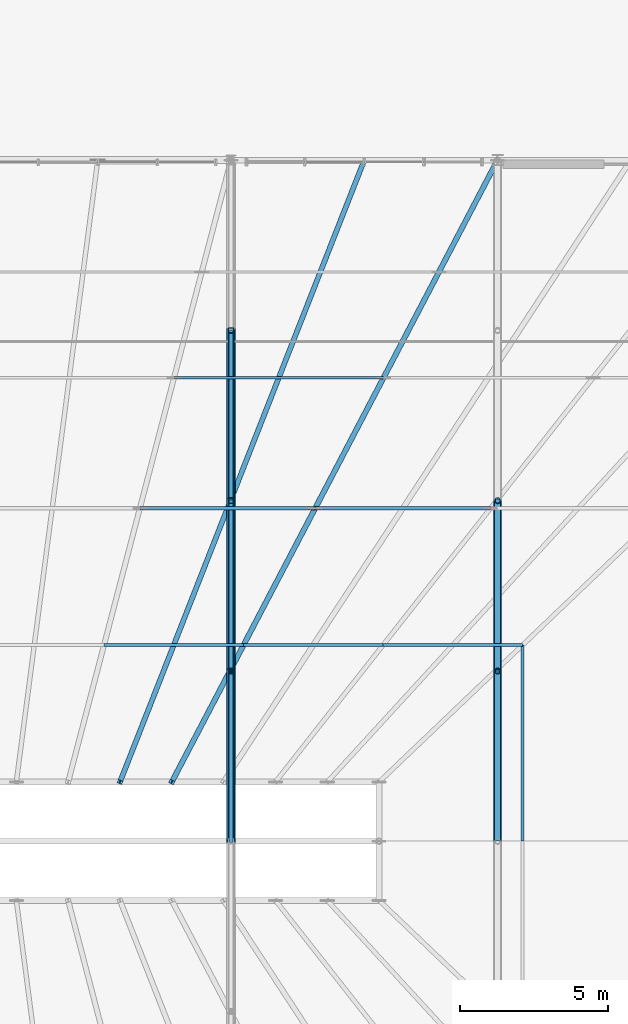
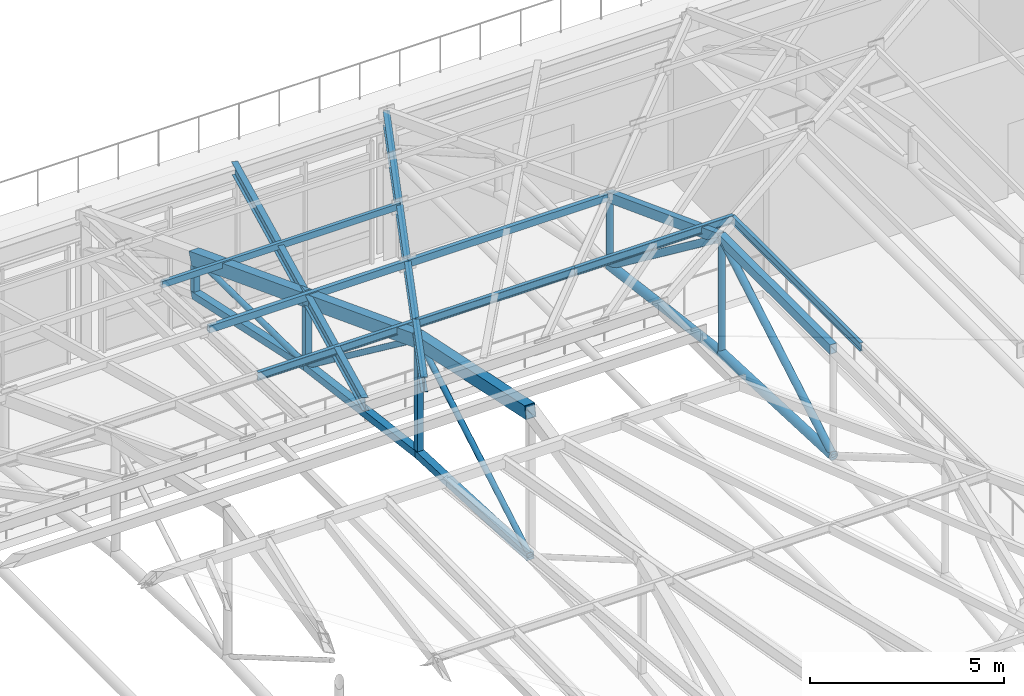
# One storey, part 60 of 168: 24 members, 5 beams.
"""IFC4 building model written with IfcOpenShell, lengths in metres."""

from ifc_helpers import new_model, si_unit, direction, frame, origin, origin_2d, place, context, subcontext, project, spatial, hollow_rectangle, hollow_circle, i_section, extrude, material, material_profile, profile_set, type_object, element, save


model = new_model("IFC4")

# Units and contexts
model_context = context("Model", 3, precision=1e-05, world=origin(), true_north=direction((0.0, 1.0)))
body_context = subcontext(model_context, "Body", "Model", "MODEL_VIEW")
ifc_project = project(units=[si_unit("LENGTHUNIT", "METRE"), si_unit("AREAUNIT", "SQUARE_METRE"), si_unit("VOLUMEUNIT", "CUBIC_METRE"), si_unit("PLANEANGLEUNIT", "RADIAN"), si_unit("MASSUNIT", "GRAM", prefix="KILO"), si_unit("THERMODYNAMICTEMPERATUREUNIT", "KELVIN"), si_unit("POWERUNIT", "WATT")], contexts=[model_context])

# Site, building, storey
site_placement = place(None, origin())
site = spatial("IfcSite", under=ifc_project, at=site_placement, CompositionType="ELEMENT")
building_placement = place(site_placement, origin())
building = spatial("IfcBuilding", under=site, at=building_placement, Name="Tepalcoro Natatorium and Aquatics Centre", CompositionType="ELEMENT")
storey_placement = place(building_placement, frame((0.0, 0.0, 10.199951171875)))
storey = spatial("IfcBuildingStorey", under=building, at=storey_placement, Name="L02", CompositionType="ELEMENT", Elevation=10.199951171875)

# Beams
ifc_material_1 = material(Name="Terracotta Painted Hollow Steel ASTM A500 Grade C (Fy 345 MPa)", Category="masonry")
ifc_material_profile_1 = material_profile(ifc_material_1, hollow_rectangle(XDim=0.199951171875, YDim=0.300048828125, WallThickness=0.013916015625, at=origin_2d()), Name="HSS300X200X14")
ifc_profile_set_1 = profile_set([ifc_material_profile_1], Name="Terracotta Painted Hollow Steel ASTM A500 Grade C (Fy 345 MPa)")
beam_type_1 = type_object("IfcBeamType", Name="AC_HSS300x200x14", PredefinedType="USERDEFINED", material=ifc_profile_set_1)
beam_1_placement = place(storey_placement, frame((107.0, 36.0, 11.011962890625), z_axis=(0.0, 1.0, 0.0), x_axis=(-1.0, 0.0, 0.0)))
element("IfcBeam", 1, at=beam_1_placement, inside=storey, type_object=beam_type_1, Name="V1 Arched Truss Top Chord 7", ObjectType="ARCH CHORD", PredefinedType="USERDEFINED", context=body_context, shape_type="SweptSolid", body=[
    extrude(hollow_rectangle(XDim=0.199951171875, YDim=0.300048828125, WallThickness=0.013916015625, at=origin_2d()), origin(), (0.0, 0.0, 1.0), 5.75),
])
beam_2_placement = place(storey_placement, frame((107.0, 41.75, 11.011962890625), z_axis=(0.0, 0.935595776827, -0.35307299866), x_axis=(-1.0, 0.0, 0.0)))
element("IfcBeam", 2, at=beam_2_placement, inside=storey, type_object=beam_type_1, Name="V1 Arched Truss Top Chord 7", ObjectType="ARCH CHORD", PredefinedType="USERDEFINED", context=body_context, shape_type="SweptSolid", body=[
    extrude(hollow_rectangle(XDim=0.199951171875, YDim=0.300048828125, WallThickness=0.013916015625, at=origin_2d()), origin(), (0.0, 0.0, 1.0), 6.145751953125),
])
ifc_material_profile_2 = material_profile(ifc_material_1, hollow_rectangle(XDim=0.300048828125, YDim=0.39990234375, WallThickness=0.01611328125, at=origin_2d()), Name="HSS400X300X16")
ifc_profile_set_2 = profile_set([ifc_material_profile_2], Name="Terracotta Painted Hollow Steel ASTM A500 Grade C (Fy 345 MPa)")
beam_type_2 = type_object("IfcBeamType", Name="AC_HSS400x300x16", PredefinedType="USERDEFINED", material=ifc_profile_set_2)
beam_3_placement = place(storey_placement, frame((98.0, 36.0, 12.199951171875), z_axis=(0.0, 0.978502151246, -0.206236611701), x_axis=(-1.0, 0.0, 0.0)))
element("IfcBeam", 3, at=beam_3_placement, inside=storey, type_object=beam_type_2, Name="V1 Arched Truss Top Chord 6", ObjectType="ARCH CHORD", PredefinedType="USERDEFINED", context=body_context, shape_type="SweptSolid", body=[
    extrude(hollow_rectangle(XDim=0.300048828125, YDim=0.39990234375, WallThickness=0.01611328125, at=origin_2d()), origin(), (0.0, 0.0, 1.0), 5.876220703125),
])
for number, where, z_axis, x_axis, name in (
    (4, (98.0, 41.75, 10.988037109375), (0.0, 0.934186419385, -0.356785276935), (-1.0, 0.0, 0.0), "V1 Arched Truss Top Chord 6"),
    (5, (98.0, 47.5, 8.7919921875), (0.0, 0.934186419385, -0.356785276935), (-1.0, 0.0, 0.0), "V1 Arched Truss Top Chord 6"),
):
    element("IfcBeam", number, at=place(storey_placement, frame(where, z_axis=z_axis, x_axis=x_axis)), inside=storey, type_object=beam_type_2, Name=name, ObjectType="ARCH CHORD", PredefinedType="USERDEFINED", context=body_context, shape_type="SweptSolid", body=[
        extrude(hollow_rectangle(XDim=0.300048828125, YDim=0.39990234375, WallThickness=0.01611328125, at=origin_2d()), origin(), (0.0, 0.0, 1.0), 6.155029296875),
    ])

# Members
ifc_material_profile_3 = material_profile(ifc_material_1, hollow_circle(Radius=0.136474609375, WallThickness=0.01611328125, at=origin_2d()), Name="CHS273X16")
ifc_profile_set_3 = profile_set([ifc_material_profile_3], Name="Terracotta Painted Hollow Steel ASTM A500 Grade C (Fy 345 MPa)")
member_type_1 = type_object("IfcMemberType", Name="MB_CH_CHS273x16", PredefinedType="CHORD", material=ifc_profile_set_3)
member_1_placement = place(storey_placement, frame((107.0, 36.0, 7.650146484375), z_axis=(0.0, 0.999078119626, -0.042929137953), x_axis=(-1.0, 0.0, 0.0)))
element("IfcMember", 6, at=member_1_placement, inside=storey, type_object=member_type_1, Name="V1 Arched Truss Bottom Chord 7", PredefinedType="CHORD", context=body_context, shape_type="SweptSolid", body=[
    extrude(hollow_circle(Radius=0.136474609375, WallThickness=0.01611328125, at=origin_2d()), origin(), (0.0, 0.0, 1.0), 5.75537109375),
])
member_2_placement = place(storey_placement, frame((107.0, 41.75, 7.403076171875), z_axis=(0.0, 0.991809731939, -0.127724138798), x_axis=(-1.0, 0.0, 0.0)))
element("IfcMember", 7, at=member_2_placement, inside=storey, type_object=member_type_1, Name="V1 Arched Truss Bottom Chord 7", PredefinedType="CHORD", context=body_context, shape_type="SweptSolid", body=[
    extrude(hollow_circle(Radius=0.136474609375, WallThickness=0.01611328125, at=origin_2d()), origin(), (0.0, 0.0, 1.0), 5.79736328125),
])
ifc_material_profile_4 = material_profile(ifc_material_1, hollow_rectangle(XDim=0.219970703125, YDim=0.219970703125, WallThickness=0.011962890625, at=origin_2d()), Name="HSS220X220X12")
ifc_profile_set_4 = profile_set([ifc_material_profile_4], Name="Terracotta Painted Hollow Steel ASTM A500 Grade C (Fy 345 MPa)")
member_type_2 = type_object("IfcMemberType", Name="MB_CH_HSS220x220x12", PredefinedType="CHORD", material=ifc_profile_set_4)
member_3_placement = place(storey_placement, frame((98.0, 36.0, 7.650146484375), z_axis=(0.0, 0.999078119626, -0.042929137953), x_axis=(-1.0, 0.0, 0.0)))
element("IfcMember", 8, at=member_3_placement, inside=storey, type_object=member_type_2, Name="V1 Arched Truss Bottom Chord 6", PredefinedType="CHORD", context=body_context, shape_type="SweptSolid", body=[
    extrude(hollow_rectangle(XDim=0.219970703125, YDim=0.219970703125, WallThickness=0.011962890625, at=origin_2d()), origin(), (0.0, 0.0, 1.0), 5.75537109375),
])
member_4_placement = place(storey_placement, frame((98.0, 41.75, 7.403076171875), z_axis=(0.0, 0.991809731939, -0.127724138798), x_axis=(-1.0, 0.0, 0.0)))
element("IfcMember", 9, at=member_4_placement, inside=storey, type_object=member_type_2, Name="V1 Arched Truss Bottom Chord 6", PredefinedType="CHORD", context=body_context, shape_type="SweptSolid", body=[
    extrude(hollow_rectangle(XDim=0.219970703125, YDim=0.219970703125, WallThickness=0.011962890625, at=origin_2d()), origin(), (0.0, 0.0, 1.0), 5.79736328125),
])
member_5_placement = place(storey_placement, frame((98.0, 47.5, 6.66259765625), z_axis=(0.0, 0.977724584974, -0.209891962535), x_axis=(-1.0, 0.0, 0.0)))
element("IfcMember", 10, at=member_5_placement, inside=storey, type_object=member_type_2, Name="V1 Arched Truss Bottom Chord 6", PredefinedType="CHORD", context=body_context, shape_type="SweptSolid", body=[
    extrude(hollow_rectangle(XDim=0.219970703125, YDim=0.219970703125, WallThickness=0.011962890625, at=origin_2d()), origin(), (0.0, 0.0, 1.0), 5.881103515625),
])
ifc_material_2 = material(Name="Hollow Steel ASTM A500 Grade C (Fy 345 MPa)", Category="steel")
ifc_material_profile_5 = material_profile(ifc_material_2, hollow_rectangle(XDim=0.10009765625, YDim=0.199951171875, WallThickness=0.008056640625, at=origin_2d()), Name="HSS200X100X8")
ifc_profile_set_5 = profile_set([ifc_material_profile_5], Name="Hollow Steel ASTM A500 Grade C (Fy 345 MPa)")
member_type_3 = type_object("IfcMemberType", Name="MB_PR_HSS200x100x8", PredefinedType="PURLIN", material=ifc_profile_set_5)
member_6_placement = place(storey_placement, frame((96.074951171875, 51.64990234375, 7.380126953125), z_axis=(1.0, 0.0, 0.0), x_axis=(0.0, 1.0, 0.0)))
element("IfcMember", 11, at=member_6_placement, inside=storey, type_object=member_type_3, Name="Pyramid Horizontal Purlin North", PredefinedType="PURLIN", context=body_context, shape_type="SweptSolid", body=[
    extrude(hollow_rectangle(XDim=0.10009765625, YDim=0.199951171875, WallThickness=0.008056640625, at=origin_2d()), origin(), (0.0, 0.0, 1.0), 7.074951171875),
])
ifc_material_profile_6 = material_profile(ifc_material_2, hollow_rectangle(XDim=0.1201171875, YDim=0.219970703125, WallThickness=0.010009765625, at=origin_2d()), Name="HSS220X120X10")
ifc_profile_set_6 = profile_set([ifc_material_profile_6], Name="Hollow Steel ASTM A500 Grade C (Fy 345 MPa)")
member_type_4 = type_object("IfcMemberType", Name="MB_PR_HSS220x120x10", PredefinedType="PURLIN", material=ifc_profile_set_6)
member_7_placement = place(storey_placement, frame((94.919921875, 47.239990234375, 9.05419921875), z_axis=(1.0, 0.0, 0.0), x_axis=(0.0, 1.0, 0.0)))
element("IfcMember", 12, at=member_7_placement, inside=storey, type_object=member_type_4, Name="Pyramid Horizontal Purlin North", PredefinedType="PURLIN", context=body_context, shape_type="SweptSolid", body=[
    extrude(hollow_rectangle(XDim=0.1201171875, YDim=0.219970703125, WallThickness=0.010009765625, at=origin_2d()), origin(), (0.0, 0.0, 1.0), 5.920166015625),
])
member_8_placement = place(storey_placement, frame((100.840087890625, 47.239990234375, 9.05419921875), z_axis=(1.0, 0.0, 0.0), x_axis=(0.0, 1.0, 0.0)))
element("IfcMember", 13, at=member_8_placement, inside=storey, type_object=member_type_4, Name="Pyramid Horizontal Purlin North", PredefinedType="PURLIN", context=body_context, shape_type="SweptSolid", body=[
    extrude(hollow_rectangle(XDim=0.1201171875, YDim=0.219970703125, WallThickness=0.010009765625, at=origin_2d()), origin(), (0.0, 0.0, 1.0), 5.919921875),
])
ifc_material_3 = material(Name="Steel ASTM A992 Grade 50 (Fy 345 MPa)", Category="steel")
ifc_material_profile_7 = material_profile(ifc_material_3, i_section(OverallWidth=0.10205078125, OverallDepth=0.259033203125, WebThickness=0.006103515625, FlangeThickness=0.010009765625, FilletRadius=0.013916015625, at=origin_2d()), Name="W10X19")
ifc_profile_set_7 = profile_set([ifc_material_profile_7], Name="Steel ASTM A992 Grade 50 (Fy 345 MPa)")
member_type_5 = type_object("IfcMemberType", Name="MB_PR_W10x19", PredefinedType="PURLIN", material=ifc_profile_set_7)
for number, where, z_axis, x_axis, name in (
    (14, (93.7099609375, 42.6201171875, 10.799072265625), (1.0, 0.0, 0.0), (0.0, 1.0, 0.0), "Pyramid Horizontal Purlin North"),
    (15, (98.419921875, 42.6201171875, 10.799072265625), (1.0, 0.0, 0.0), (0.0, 1.0, 0.0), "Pyramid Horizontal Purlin North"),
):
    element("IfcMember", number, at=place(storey_placement, frame(where, z_axis=z_axis, x_axis=x_axis)), inside=storey, type_object=member_type_5, Name=name, PredefinedType="PURLIN", context=body_context, shape_type="SweptSolid", body=[
        extrude(i_section(OverallWidth=0.10205078125, OverallDepth=0.259033203125, WebThickness=0.006103515625, FlangeThickness=0.010009765625, FilletRadius=0.013916015625, at=origin_2d()), origin(), (0.0, 0.0, 1.0), 4.7099609375),
    ])
member_9_placement = place(storey_placement, frame((103.1298828125, 42.6201171875, 10.799072265625), z_axis=(1.0, 0.0, 0.0), x_axis=(0.0, 1.0, 0.0)))
element("IfcMember", 16, at=member_9_placement, inside=storey, type_object=member_type_5, Name="Pyramid Horizontal Purlin North", PredefinedType="PURLIN", context=body_context, shape_type="SweptSolid", body=[
    extrude(i_section(OverallWidth=0.10205078125, OverallDepth=0.259033203125, WebThickness=0.006103515625, FlangeThickness=0.010009765625, FilletRadius=0.013916015625, at=origin_2d()), origin(), (0.0, 0.0, 1.0), 4.710205078125),
])
member_10_placement = place(storey_placement, frame((107.840087890625, 36.0, 10.778076171875), z_axis=(0.0, 1.0, 0.0), x_axis=(-1.0, 0.0, 0.0)))
element("IfcMember", 17, at=member_10_placement, inside=storey, type_object=member_type_5, Name="Pyramid Horizontal Purlin E", PredefinedType="PURLIN", context=body_context, shape_type="SweptSolid", body=[
    extrude(i_section(OverallWidth=0.10205078125, OverallDepth=0.259033203125, WebThickness=0.006103515625, FlangeThickness=0.010009765625, FilletRadius=0.013916015625, at=origin_2d()), origin(), (0.0, 0.0, 1.0), 6.6201171875),
])
ifc_material_profile_8 = material_profile(ifc_material_1, hollow_circle(Radius=0.096923828125, WallThickness=0.010009765625, at=origin_2d()), Name="CHS194X10")
ifc_profile_set_8 = profile_set([ifc_material_profile_8], Name="Terracotta Painted Hollow Steel ASTM A500 Grade C (Fy 345 MPa)")
member_type_6 = type_object("IfcMemberType", Name="MB_PS_CHS194x10", PredefinedType="POST", material=ifc_profile_set_8)
member_11_placement = place(storey_placement, frame((107.0, 41.75, 7.403076171875), z_axis=(0.0, 0.0, 1.0), x_axis=(1.0, 0.0, 0.0)))
element("IfcMember", 18, at=member_11_placement, inside=storey, type_object=member_type_6, Name="V1 Arched Truss Vertical Post 7", PredefinedType="POST", context=body_context, shape_type="SweptSolid", body=[
    extrude(hollow_circle(Radius=0.096923828125, WallThickness=0.010009765625, at=origin_2d()), origin(), (0.0, 0.0, 1.0), 3.60888671875),
])
member_12_placement = place(storey_placement, frame((107.0, 47.5, 6.66259765625), z_axis=(0.0, 0.0, 1.0), x_axis=(1.0, 0.0, 0.0)))
element("IfcMember", 19, at=member_12_placement, inside=storey, type_object=member_type_6, Name="V1 Arched Truss Vertical Post 7", PredefinedType="POST", context=body_context, shape_type="SweptSolid", body=[
    extrude(hollow_circle(Radius=0.096923828125, WallThickness=0.010009765625, at=origin_2d()), origin(), (0.0, 0.0, 1.0), 2.179443359375),
])
ifc_material_profile_9 = material_profile(ifc_material_1, hollow_rectangle(XDim=0.179931640625, YDim=0.179931640625, WallThickness=0.010009765625, at=origin_2d()), Name="HSS180X180X10")
ifc_profile_set_9 = profile_set([ifc_material_profile_9], Name="Terracotta Painted Hollow Steel ASTM A500 Grade C (Fy 345 MPa)")
member_type_7 = type_object("IfcMemberType", Name="MB_PS_HSS180x180x10", PredefinedType="POST", material=ifc_profile_set_9)
member_13_placement = place(storey_placement, frame((98.0, 41.75, 7.403076171875), z_axis=(0.0, 0.0, 1.0), x_axis=(1.0, 0.0, 0.0)))
element("IfcMember", 20, at=member_13_placement, inside=storey, type_object=member_type_7, Name="V1 Arched Truss Vertical Post 6", PredefinedType="POST", context=body_context, shape_type="SweptSolid", body=[
    extrude(hollow_rectangle(XDim=0.179931640625, YDim=0.179931640625, WallThickness=0.010009765625, at=origin_2d()), origin(), (0.0, 0.0, 1.0), 3.5849609375),
])
member_14_placement = place(storey_placement, frame((98.0, 47.5, 6.66259765625), z_axis=(0.0, 0.0, 1.0), x_axis=(1.0, 0.0, 0.0)))
element("IfcMember", 21, at=member_14_placement, inside=storey, type_object=member_type_7, Name="V1 Arched Truss Vertical Post 6", PredefinedType="POST", context=body_context, shape_type="SweptSolid", body=[
    extrude(hollow_rectangle(XDim=0.179931640625, YDim=0.179931640625, WallThickness=0.010009765625, at=origin_2d()), origin(), (0.0, 0.0, 1.0), 2.12939453125),
])
member_15_placement = place(storey_placement, frame((98.0, 53.25, 5.42822265625), z_axis=(0.0, 0.0, 1.0), x_axis=(1.0, 0.0, 0.0)))
element("IfcMember", 22, at=member_15_placement, inside=storey, type_object=member_type_7, Name="V1 Arched Truss Vertical Post 6", PredefinedType="POST", context=body_context, shape_type="SweptSolid", body=[
    extrude(hollow_rectangle(XDim=0.179931640625, YDim=0.179931640625, WallThickness=0.010009765625, at=origin_2d()), origin(), (0.0, 0.0, 1.0), 1.167724609375),
])
ifc_material_profile_10 = material_profile(ifc_material_3, i_section(OverallWidth=0.1708984375, OverallDepth=0.35595703125, WebThickness=0.007080078125, FlangeThickness=0.011962890625, FilletRadius=0.013916015625, at=origin_2d()), Name="W14X34")
ifc_profile_set_10 = profile_set([ifc_material_profile_10], Name="Steel ASTM A992 Grade 50 (Fy 345 MPa)")
member_type_8 = type_object("IfcMemberType", Name="MB_RF_W14x34", PredefinedType="RAFTER", material=ifc_profile_set_10)
member_16_placement = place(storey_placement, frame((102.5, 59.0, 4.320068359375), z_axis=(-0.343634935257, -0.874707107928, 0.341763817002), x_axis=(0.93075149344, -0.365652372423, 0.0)))
element("IfcMember", 23, at=member_16_placement, inside=storey, type_object=member_type_8, Name="Pyramid Skylight Rafter North", PredefinedType="RAFTER", context=body_context, shape_type="SweptSolid", body=[
    extrude(i_section(OverallWidth=0.1708984375, OverallDepth=0.35595703125, WebThickness=0.007080078125, FlangeThickness=0.011962890625, FilletRadius=0.013916015625, at=origin_2d()), origin(), (0.0, 0.0, 1.0), 24.008056640625),
])
ifc_material_profile_11 = material_profile(ifc_material_3, i_section(OverallWidth=0.177978515625, OverallDepth=0.403076171875, WebThickness=0.008056640625, FlangeThickness=0.010986328125, FilletRadius=0.013916015625, at=origin_2d()), Name="W16X36")
ifc_profile_set_11 = profile_set([ifc_material_profile_11], Name="Steel ASTM A992 Grade 50 (Fy 345 MPa)")
member_type_9 = type_object("IfcMemberType", Name="MB_RF_W16x36", PredefinedType="RAFTER", material=ifc_profile_set_11)
member_17_placement = place(storey_placement, frame((107.0, 59.0, 4.320068359375), z_axis=(-0.438486045758, -0.837109723719, 0.327073842015), x_axis=(0.88583153528, -0.464006994671, 0.0)))
element("IfcMember", 24, at=member_17_placement, inside=storey, type_object=member_type_9, Name="Pyramid Skylight Rafter North", PredefinedType="RAFTER", context=body_context, shape_type="SweptSolid", body=[
    extrude(i_section(OverallWidth=0.177978515625, OverallDepth=0.403076171875, WebThickness=0.008056640625, FlangeThickness=0.010986328125, FilletRadius=0.013916015625, at=origin_2d()), origin(), (0.0, 0.0, 1.0), 25.08642578125),
])
ifc_material_profile_12 = material_profile(ifc_material_1, hollow_circle(Radius=0.083984375, WallThickness=0.011962890625, at=origin_2d()), Name="CHS168X12")
ifc_profile_set_12 = profile_set([ifc_material_profile_12], Name="Terracotta Painted Hollow Steel ASTM A500 Grade C (Fy 345 MPa)")
member_type_10 = type_object("IfcMemberType", Name="MB_ST_CHS168x12", PredefinedType="STRUT", material=ifc_profile_set_12)
member_18_placement = place(storey_placement, frame((98.0, 36.0, 7.650146484375), z_axis=(0.0, 0.864842436545, 0.50204338453), x_axis=(-1.0, 0.0, 0.0)))
element("IfcMember", 25, at=member_18_placement, inside=storey, type_object=member_type_10, Name="V1 Arched Truss Web Diagonal 6", PredefinedType="STRUT", context=body_context, shape_type="SweptSolid", body=[
    extrude(hollow_circle(Radius=0.083984375, WallThickness=0.011962890625, at=origin_2d()), origin(), (0.0, 0.0, 1.0), 6.648681640625),
])
member_19_placement = place(storey_placement, frame((98.0, 41.75, 10.988037109375), z_axis=(0.0, 0.799135974953, -0.601150308604), x_axis=(-1.0, 0.0, 0.0)))
element("IfcMember", 26, at=member_19_placement, inside=storey, type_object=member_type_10, Name="V1 Arched Truss Web Diagonal 6", PredefinedType="STRUT", context=body_context, shape_type="SweptSolid", body=[
    extrude(hollow_circle(Radius=0.083984375, WallThickness=0.011962890625, at=origin_2d()), origin(), (0.0, 0.0, 1.0), 7.1953125),
])
member_20_placement = place(storey_placement, frame((98.0, 47.5, 6.66259765625), z_axis=(0.0, 0.999932826813, -0.011590593653), x_axis=(-1.0, 0.0, 0.0)))
element("IfcMember", 27, at=member_20_placement, inside=storey, type_object=member_type_10, Name="V1 Arched Truss Web Diagonal 6", PredefinedType="STRUT", context=body_context, shape_type="SweptSolid", body=[
    extrude(hollow_circle(Radius=0.083984375, WallThickness=0.011962890625, at=origin_2d()), origin(), (0.0, 0.0, 1.0), 5.75048828125),
])
ifc_material_profile_13 = material_profile(ifc_material_1, hollow_circle(Radius=0.109619140625, WallThickness=0.013916015625, at=origin_2d()), Name="CHS219X14")
ifc_profile_set_13 = profile_set([ifc_material_profile_13], Name="Terracotta Painted Hollow Steel ASTM A500 Grade C (Fy 345 MPa)")
member_type_11 = type_object("IfcMemberType", Name="MB_ST_CHS219x14", PredefinedType="STRUT", material=ifc_profile_set_13)
member_21_placement = place(storey_placement, frame((107.0, 36.0, 7.650146484375), z_axis=(0.0, 0.863278611961, 0.504727687105), x_axis=(-1.0, 0.0, 0.0)))
element("IfcMember", 28, at=member_21_placement, inside=storey, type_object=member_type_11, Name="V1 Arched Truss Web Diagonal 7", PredefinedType="STRUT", context=body_context, shape_type="SweptSolid", body=[
    extrude(hollow_circle(Radius=0.109619140625, WallThickness=0.013916015625, at=origin_2d()), origin(), (0.0, 0.0, 1.0), 6.66064453125),
])
member_22_placement = place(storey_placement, frame((107.0, 41.75, 11.011962890625), z_axis=(0.0, 0.797538923951, -0.603267490242), x_axis=(-1.0, 0.0, 0.0)))
element("IfcMember", 29, at=member_22_placement, inside=storey, type_object=member_type_11, Name="V1 Arched Truss Web Diagonal 7", PredefinedType="STRUT", context=body_context, shape_type="SweptSolid", body=[
    extrude(hollow_circle(Radius=0.109619140625, WallThickness=0.013916015625, at=origin_2d()), origin(), (0.0, 0.0, 1.0), 7.209716796875),
])

save(model, "model.ifc")
